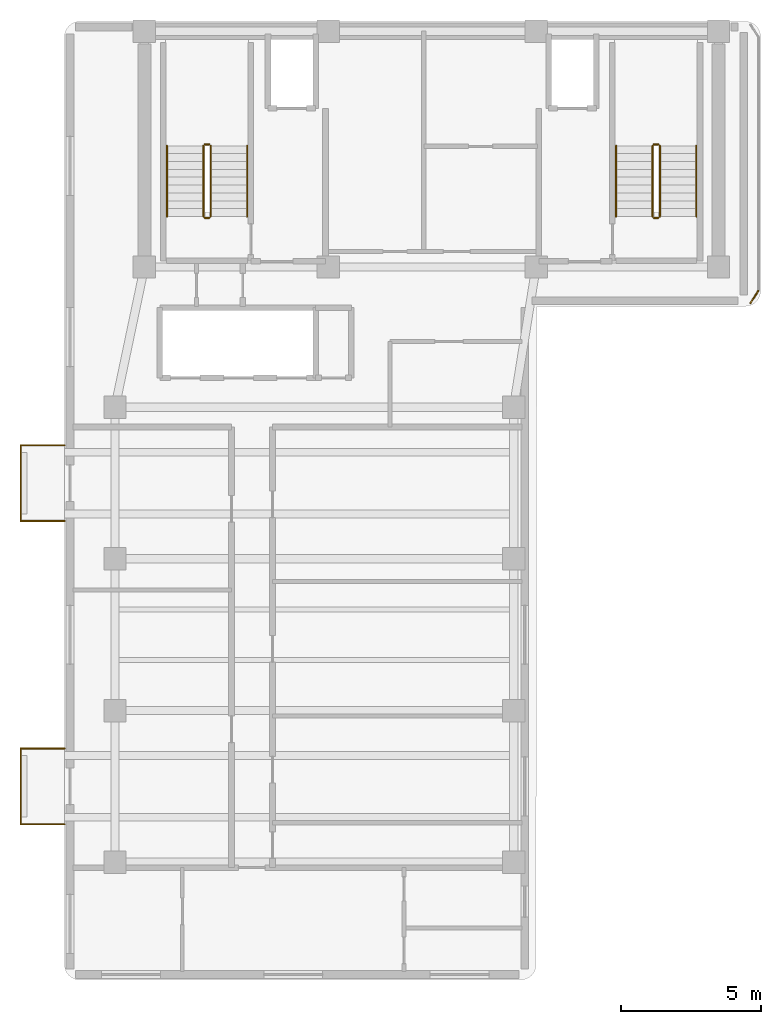
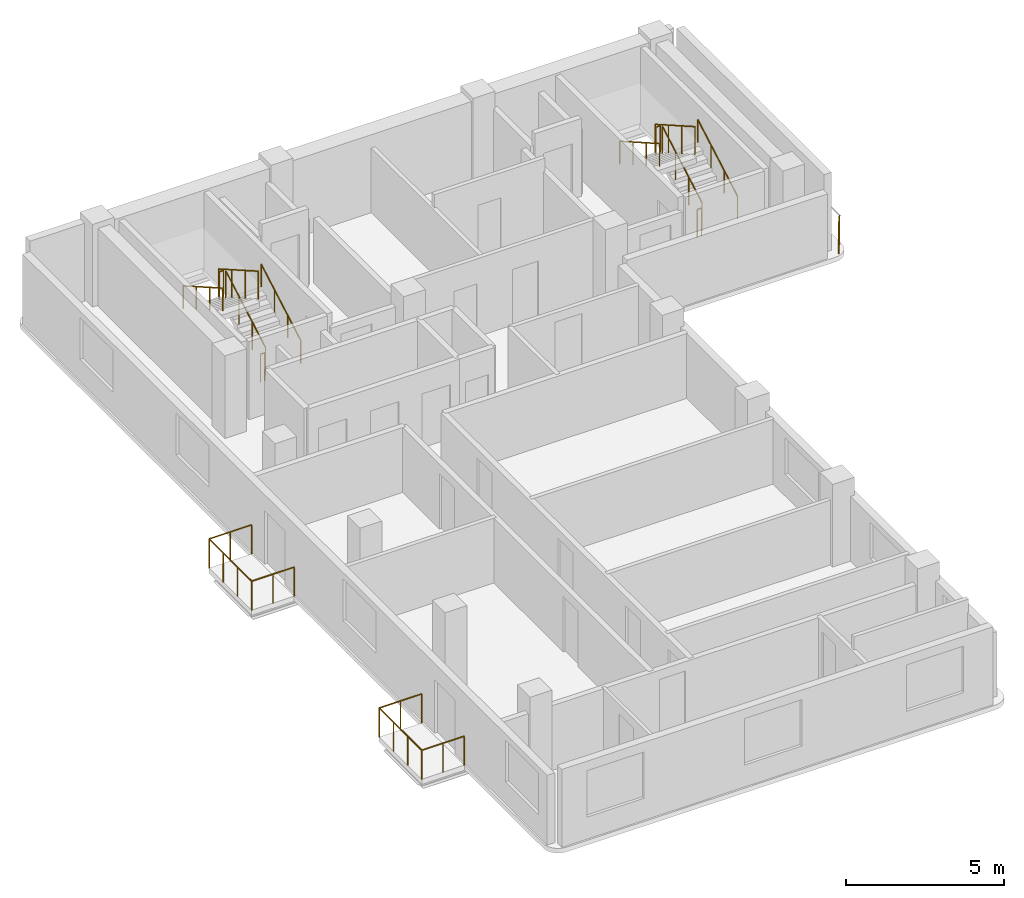
# One storey, part 5 of 6: 19 railings.
"""IFC4 building model written with IfcOpenShell, lengths in metres."""

from ifc_helpers import new_model, si_unit, direction, frame, origin, origin_2d, place, context, subcontext, project, spatial, circle, extrude, material, layer, layer_set, type_object, element, save


model = new_model("IFC4")

# Units and contexts
model_context = context("Model", 3, precision=1e-05, world=origin(), true_north=direction((0.0, 1.0)))
body_context = subcontext(model_context, "Body", "Model", "MODEL_VIEW")
ifc_project = project(units=[si_unit("LENGTHUNIT", "METRE"), si_unit("AREAUNIT", "SQUARE_METRE"), si_unit("VOLUMEUNIT", "CUBIC_METRE"), si_unit("PLANEANGLEUNIT", "RADIAN"), si_unit("MASSUNIT", "GRAM", prefix="KILO")], contexts=[model_context])

# Site, building, storey
site_placement = place(None, origin())
site = spatial("IfcSite", under=ifc_project, at=site_placement, CompositionType="ELEMENT")
building_placement = place(site_placement, origin())
building = spatial("IfcBuilding", under=site, at=building_placement, Name="Kuzgunbayir Cultural Tower", CompositionType="ELEMENT")
storey_placement = place(building_placement, frame((0.0, 0.0, 221.60009765625)))
storey = spatial("IfcBuildingStorey", under=building, at=storey_placement, Name="L65", CompositionType="ELEMENT", Elevation=221.60009765625)

# Railings
ifc_material_1 = material(Name="Laminated Glass and Stainless Steel", Category="steel")
ifc_layer_1 = layer(ifc_material_1, 0.080078125)
ifc_layer_set_1 = layer_set([ifc_layer_1], Name="Laminated Glass and Stainless Steel")
railing_type_1 = type_object("IfcRailingType", Name="RLG-BAL-115", PredefinedType="BALUSTRADE", material=ifc_layer_set_1)
railing_1_placement = place(storey_placement, frame((3.60009765625, 13.949951171875, 0.0)))
element("IfcRailing", 1, at=railing_1_placement, inside=storey, type_object=railing_type_1, Name="L65 Balcony Guard BAL-L65-WA1 Segment 1", PredefinedType="BALUSTRADE", context=body_context, shape_type="SweptSolid", body=[
    extrude(circle(Radius=0.02392578125, at=origin_2d()), frame((0.0, 0.0, 1.1259765625), z_axis=(-1.0, 0.0, 0.0), x_axis=(0.0, -1.0, 0.0)), (0.0, 0.0, 1.0), 1.56005859375),
    extrude(circle(Radius=0.02099609375, at=origin_2d()), origin(), (0.0, 0.0, 1.0), 1.101806640625),
    extrude(circle(Radius=0.02099609375, at=origin_2d()), frame((-0.780029296875, 0.0, 0.0)), (0.0, 0.0, 1.0), 1.101806640625),
    extrude(circle(Radius=0.02099609375, at=origin_2d()), frame((-1.56005859375, 0.0, 0.0)), (0.0, 0.0, 1.0), 1.101806640625),
])
railing_2_placement = place(storey_placement, frame((2.0400390625, 13.949951171875, 0.0)))
element("IfcRailing", 2, at=railing_2_placement, inside=storey, type_object=railing_type_1, Name="L65 Balcony Guard BAL-L65-WA1 Segment 2", PredefinedType="BALUSTRADE", context=body_context, shape_type="SweptSolid", body=[
    extrude(circle(Radius=0.02392578125, at=origin_2d()), frame((0.0, 0.0, 1.1259765625), z_axis=(0.0, 1.0, 0.0), x_axis=(-1.0, 0.0, 0.0)), (0.0, 0.0, 1.0), 2.699951171875),
    extrude(circle(Radius=0.02099609375, at=origin_2d()), origin(), (0.0, 0.0, 1.0), 1.101806640625),
    extrude(circle(Radius=0.02099609375, at=origin_2d()), frame((0.0, 0.89990234375, 0.0)), (0.0, 0.0, 1.0), 1.101806640625),
    extrude(circle(Radius=0.02099609375, at=origin_2d()), frame((0.0, 1.800048828125, 0.0)), (0.0, 0.0, 1.0), 1.101806640625),
    extrude(circle(Radius=0.02099609375, at=origin_2d()), frame((0.0, 2.699951171875, 0.0)), (0.0, 0.0, 1.0), 1.101806640625),
])
railing_3_placement = place(storey_placement, frame((2.0400390625, 16.64990234375, 0.0)))
element("IfcRailing", 3, at=railing_3_placement, inside=storey, type_object=railing_type_1, Name="L65 Balcony Guard BAL-L65-WA1 Segment 3", PredefinedType="BALUSTRADE", context=body_context, shape_type="SweptSolid", body=[
    extrude(circle(Radius=0.02392578125, at=origin_2d()), frame((0.0, 0.0, 1.1259765625), z_axis=(1.0, 0.0, 0.0), x_axis=(0.0, 1.0, 0.0)), (0.0, 0.0, 1.0), 1.56005859375),
    extrude(circle(Radius=0.02099609375, at=origin_2d()), origin(), (0.0, 0.0, 1.0), 1.101806640625),
    extrude(circle(Radius=0.02099609375, at=origin_2d()), frame((0.780029296875, 0.0, 0.0)), (0.0, 0.0, 1.0), 1.101806640625),
    extrude(circle(Radius=0.02099609375, at=origin_2d()), frame((1.56005859375, 0.0, 0.0)), (0.0, 0.0, 1.0), 1.101806640625),
])
railing_4_placement = place(storey_placement, frame((3.60009765625, 24.75, 0.0)))
element("IfcRailing", 4, at=railing_4_placement, inside=storey, type_object=railing_type_1, Name="L65 Balcony Guard BAL-L65-WA3 Segment 1", PredefinedType="BALUSTRADE", context=body_context, shape_type="SweptSolid", body=[
    extrude(circle(Radius=0.02392578125, at=origin_2d()), frame((0.0, 0.0, 1.1259765625), z_axis=(-1.0, 0.0, 0.0), x_axis=(0.0, -1.0, 0.0)), (0.0, 0.0, 1.0), 1.56005859375),
    extrude(circle(Radius=0.02099609375, at=origin_2d()), origin(), (0.0, 0.0, 1.0), 1.101806640625),
    extrude(circle(Radius=0.02099609375, at=origin_2d()), frame((-0.780029296875, 0.0, 0.0)), (0.0, 0.0, 1.0), 1.101806640625),
    extrude(circle(Radius=0.02099609375, at=origin_2d()), frame((-1.56005859375, 0.0, 0.0)), (0.0, 0.0, 1.0), 1.101806640625),
])
railing_5_placement = place(storey_placement, frame((2.0400390625, 24.75, 0.0)))
element("IfcRailing", 5, at=railing_5_placement, inside=storey, type_object=railing_type_1, Name="L65 Balcony Guard BAL-L65-WA3 Segment 2", PredefinedType="BALUSTRADE", context=body_context, shape_type="SweptSolid", body=[
    extrude(circle(Radius=0.02392578125, at=origin_2d()), frame((0.0, 0.0, 1.1259765625), z_axis=(0.0, 1.0, 0.0), x_axis=(-1.0, 0.0, 0.0)), (0.0, 0.0, 1.0), 2.699951171875),
    extrude(circle(Radius=0.02099609375, at=origin_2d()), origin(), (0.0, 0.0, 1.0), 1.101806640625),
    extrude(circle(Radius=0.02099609375, at=origin_2d()), frame((0.0, 0.89990234375, 0.0)), (0.0, 0.0, 1.0), 1.101806640625),
    extrude(circle(Radius=0.02099609375, at=origin_2d()), frame((0.0, 1.800048828125, 0.0)), (0.0, 0.0, 1.0), 1.101806640625),
    extrude(circle(Radius=0.02099609375, at=origin_2d()), frame((0.0, 2.699951171875, 0.0)), (0.0, 0.0, 1.0), 1.101806640625),
])
railing_6_placement = place(storey_placement, frame((2.0400390625, 27.449951171875, 0.0)))
element("IfcRailing", 6, at=railing_6_placement, inside=storey, type_object=railing_type_1, Name="L65 Balcony Guard BAL-L65-WA3 Segment 3", PredefinedType="BALUSTRADE", context=body_context, shape_type="SweptSolid", body=[
    extrude(circle(Radius=0.02392578125, at=origin_2d()), frame((0.0, 0.0, 1.1259765625), z_axis=(1.0, 0.0, 0.0), x_axis=(0.0, 1.0, 0.0)), (0.0, 0.0, 1.0), 1.56005859375),
    extrude(circle(Radius=0.02099609375, at=origin_2d()), origin(), (0.0, 0.0, 1.0), 1.101806640625),
    extrude(circle(Radius=0.02099609375, at=origin_2d()), frame((0.780029296875, 0.0, 0.0)), (0.0, 0.0, 1.0), 1.101806640625),
    extrude(circle(Radius=0.02099609375, at=origin_2d()), frame((1.56005859375, 0.0, 0.0)), (0.0, 0.0, 1.0), 1.101806640625),
])
railing_7_placement = place(storey_placement, frame((28.320068359375, 32.949951171875, 0.0)))
element("IfcRailing", 7, at=railing_7_placement, inside=storey, type_object=railing_type_1, Name="L65 Perimeter Edge Guard 3", PredefinedType="BALUSTRADE", context=body_context, shape_type="SweptSolid", body=[
    extrude(circle(Radius=0.02392578125, at=origin_2d()), frame((0.0, 0.0, 1.1259765625), z_axis=(-0.545774188207, -0.837932297675, 0.0), x_axis=(0.837932297675, -0.545774188207, 0.0)), (0.0, 0.0, 1.0), 0.51318359375),
    extrude(circle(Radius=0.02099609375, at=origin_2d()), origin(), (0.0, 0.0, 1.0), 1.101806640625),
    extrude(circle(Radius=0.02099609375, at=origin_2d()), frame((-0.280029296875, -0.429931640625, 0.0)), (0.0, 0.0, 1.0), 1.101806640625),
])
ifc_material_2 = material(Name="Brushed Stainless Steel", Category="steel")
ifc_layer_2 = layer(ifc_material_2, 0.050048828125)
ifc_layer_set_2 = layer_set([ifc_layer_2], Name="Brushed Stainless Steel")
railing_type_2 = type_object("IfcRailingType", Name="RLG-STAIR-HANDRAIL", PredefinedType="HANDRAIL", material=ifc_layer_set_2)
railing_8_placement = place(storey_placement, frame((10.110107421875, 35.60009765625, 0.159912109375)))
element("IfcRailing", 8, at=railing_8_placement, inside=storey, type_object=railing_type_2, Name="L65 ST-1 stair handrail 1", PredefinedType="HANDRAIL", context=body_context, shape_type="SweptSolid", body=[
    extrude(circle(Radius=0.02392578125, at=origin_2d()), frame((0.0, 0.0, 0.8759765625), z_axis=(0.0, 0.868253494771, 0.496120820787), x_axis=(-1.0, 0.0, 0.0)), (0.0, 0.0, 1.0), 2.90234375),
    extrude(circle(Radius=0.02099609375, at=origin_2d()), origin(), (0.0, 0.0, 1.0), 0.851806640625),
    extrude(circle(Radius=0.02099609375, at=origin_2d()), frame((0.0, 0.840087890625, 0.47998046875)), (0.0, 0.0, 1.0), 0.851806640625),
    extrude(circle(Radius=0.02099609375, at=origin_2d()), frame((0.0, 1.679931640625, 0.9599609375)), (0.0, 0.0, 1.0), 0.851806640625),
    extrude(circle(Radius=0.02099609375, at=origin_2d()), frame((0.0, 2.52001953125, 1.43994140625)), (0.0, 0.0, 1.0), 0.851806640625),
])
railing_9_placement = place(storey_placement, frame((7.25, 38.1201171875, 1.760009765625)))
element("IfcRailing", 9, at=railing_9_placement, inside=storey, type_object=railing_type_2, Name="L65 ST-1 stair handrail 2", PredefinedType="HANDRAIL", context=body_context, shape_type="SweptSolid", body=[
    extrude(circle(Radius=0.02392578125, at=origin_2d()), frame((0.0, 0.0, 0.8759765625), z_axis=(0.0, -0.868253494771, 0.496120820787), x_axis=(1.0, 0.0, 0.0)), (0.0, 0.0, 1.0), 2.90234375),
    extrude(circle(Radius=0.02099609375, at=origin_2d()), origin(), (0.0, 0.0, 1.0), 0.851806640625),
    extrude(circle(Radius=0.02099609375, at=origin_2d()), frame((0.0, -0.840087890625, 0.47998046875)), (0.0, 0.0, 1.0), 0.851806640625),
    extrude(circle(Radius=0.02099609375, at=origin_2d()), frame((0.0, -1.679931640625, 0.9599609375)), (0.0, 0.0, 1.0), 0.851806640625),
    extrude(circle(Radius=0.02099609375, at=origin_2d()), frame((0.0, -2.52001953125, 1.43994140625)), (0.0, 0.0, 1.0), 0.851806640625),
])
railing_10_placement = place(storey_placement, frame((26.110107421875, 35.60009765625, 0.159912109375)))
element("IfcRailing", 10, at=railing_10_placement, inside=storey, type_object=railing_type_2, Name="L65 ST-2 stair handrail 1", PredefinedType="HANDRAIL", context=body_context, shape_type="SweptSolid", body=[
    extrude(circle(Radius=0.02392578125, at=origin_2d()), frame((0.0, 0.0, 0.8759765625), z_axis=(0.0, 0.868253494771, 0.496120820787), x_axis=(-1.0, 0.0, 0.0)), (0.0, 0.0, 1.0), 2.90234375),
    extrude(circle(Radius=0.02099609375, at=origin_2d()), origin(), (0.0, 0.0, 1.0), 0.851806640625),
    extrude(circle(Radius=0.02099609375, at=origin_2d()), frame((0.0, 0.840087890625, 0.47998046875)), (0.0, 0.0, 1.0), 0.851806640625),
    extrude(circle(Radius=0.02099609375, at=origin_2d()), frame((0.0, 1.679931640625, 0.9599609375)), (0.0, 0.0, 1.0), 0.851806640625),
    extrude(circle(Radius=0.02099609375, at=origin_2d()), frame((0.0, 2.52001953125, 1.43994140625)), (0.0, 0.0, 1.0), 0.851806640625),
])
railing_11_placement = place(storey_placement, frame((23.25, 38.1201171875, 1.760009765625)))
element("IfcRailing", 11, at=railing_11_placement, inside=storey, type_object=railing_type_2, Name="L65 ST-2 stair handrail 2", PredefinedType="HANDRAIL", context=body_context, shape_type="SweptSolid", body=[
    extrude(circle(Radius=0.02392578125, at=origin_2d()), frame((0.0, 0.0, 0.8759765625), z_axis=(0.0, -0.868253494771, 0.496120820787), x_axis=(1.0, 0.0, 0.0)), (0.0, 0.0, 1.0), 2.90234375),
    extrude(circle(Radius=0.02099609375, at=origin_2d()), origin(), (0.0, 0.0, 1.0), 0.851806640625),
    extrude(circle(Radius=0.02099609375, at=origin_2d()), frame((0.0, -0.840087890625, 0.47998046875)), (0.0, 0.0, 1.0), 0.851806640625),
    extrude(circle(Radius=0.02099609375, at=origin_2d()), frame((0.0, -1.679931640625, 0.9599609375)), (0.0, 0.0, 1.0), 0.851806640625),
    extrude(circle(Radius=0.02099609375, at=origin_2d()), frame((0.0, -2.52001953125, 1.43994140625)), (0.0, 0.0, 1.0), 0.851806640625),
])
ifc_material_3 = material(Name="Painted Steel Balustrade", Category="steel")
ifc_layer_3 = layer(ifc_material_3, 0.06005859375)
ifc_layer_set_3 = layer_set([ifc_layer_3], Name="Painted Steel Balustrade")
railing_type_3 = type_object("IfcRailingType", Name="RLG-WELL-GUARD", PredefinedType="GUARDRAIL", material=ifc_layer_set_3)
railing_12_placement = place(storey_placement, frame((8.81005859375, 35.60009765625, 0.159912109375)))
element("IfcRailing", 12, at=railing_12_placement, inside=storey, type_object=railing_type_3, Name="L65 ST-1 stair guard 1", PredefinedType="GUARDRAIL", context=body_context, shape_type="SweptSolid", body=[
    extrude(circle(Radius=0.02392578125, at=origin_2d()), frame((0.0, 0.0, 1.076171875), z_axis=(0.0, 0.868253494771, 0.496120820787), x_axis=(-1.0, 0.0, 0.0)), (0.0, 0.0, 1.0), 2.90234375),
    extrude(circle(Radius=0.02099609375, at=origin_2d()), origin(), (0.0, 0.0, 1.0), 1.052001953125),
    extrude(circle(Radius=0.02099609375, at=origin_2d()), frame((0.0, 0.840087890625, 0.47998046875)), (0.0, 0.0, 1.0), 1.052001953125),
    extrude(circle(Radius=0.02099609375, at=origin_2d()), frame((0.0, 1.679931640625, 0.9599609375)), (0.0, 0.0, 1.0), 1.052001953125),
    extrude(circle(Radius=0.02099609375, at=origin_2d()), frame((0.0, 2.52001953125, 1.43994140625)), (0.0, 0.0, 1.0), 1.052001953125),
])
railing_13_placement = place(storey_placement, frame((8.760009765625, 38.169921875, 1.599853515625)))
element("IfcRailing", 13, at=railing_13_placement, inside=storey, type_object=railing_type_3, Name="L65 ST-1 stair guard 2", PredefinedType="GUARDRAIL", context=body_context, shape_type="SweptSolid", body=[
    extrude(circle(Radius=0.02392578125, at=origin_2d()), frame((0.0, 0.0, 1.076171875), z_axis=(-1.0, 0.0, 0.0), x_axis=(0.0, -1.0, 0.0)), (0.0, 0.0, 1.0), 0.159912109375),
    extrude(circle(Radius=0.02099609375, at=origin_2d()), origin(), (0.0, 0.0, 1.0), 1.052001953125),
    extrude(circle(Radius=0.02099609375, at=origin_2d()), frame((-0.159912109375, 0.0, 0.0)), (0.0, 0.0, 1.0), 1.052001953125),
])
railing_14_placement = place(storey_placement, frame((8.550048828125, 38.1201171875, 1.760009765625)))
element("IfcRailing", 14, at=railing_14_placement, inside=storey, type_object=railing_type_3, Name="L65 ST-1 stair guard 3", PredefinedType="GUARDRAIL", context=body_context, shape_type="SweptSolid", body=[
    extrude(circle(Radius=0.02392578125, at=origin_2d()), frame((0.0, 0.0, 1.076171875), z_axis=(0.0, -0.868253494771, 0.496120820787), x_axis=(1.0, 0.0, 0.0)), (0.0, 0.0, 1.0), 2.90234375),
    extrude(circle(Radius=0.02099609375, at=origin_2d()), origin(), (0.0, 0.0, 1.0), 1.052001953125),
    extrude(circle(Radius=0.02099609375, at=origin_2d()), frame((0.0, -0.840087890625, 0.47998046875)), (0.0, 0.0, 1.0), 1.052001953125),
    extrude(circle(Radius=0.02099609375, at=origin_2d()), frame((0.0, -1.679931640625, 0.9599609375)), (0.0, 0.0, 1.0), 1.052001953125),
    extrude(circle(Radius=0.02099609375, at=origin_2d()), frame((0.0, -2.52001953125, 1.43994140625)), (0.0, 0.0, 1.0), 1.052001953125),
])
railing_15_placement = place(storey_placement, frame((8.760009765625, 35.550048828125, 0.0)))
element("IfcRailing", 15, at=railing_15_placement, inside=storey, type_object=railing_type_3, Name="L65 ST-1 stair guard 4", PredefinedType="GUARDRAIL", context=body_context, shape_type="SweptSolid", body=[
    extrude(circle(Radius=0.02392578125, at=origin_2d()), frame((0.0, 0.0, 1.076171875), z_axis=(-1.0, 0.0, 0.0), x_axis=(0.0, -1.0, 0.0)), (0.0, 0.0, 1.0), 0.159912109375),
    extrude(circle(Radius=0.02099609375, at=origin_2d()), origin(), (0.0, 0.0, 1.0), 1.052001953125),
    extrude(circle(Radius=0.02099609375, at=origin_2d()), frame((-0.159912109375, 0.0, 0.0)), (0.0, 0.0, 1.0), 1.052001953125),
])
railing_16_placement = place(storey_placement, frame((24.81005859375, 35.60009765625, 0.159912109375)))
element("IfcRailing", 16, at=railing_16_placement, inside=storey, type_object=railing_type_3, Name="L65 ST-2 stair guard 1", PredefinedType="GUARDRAIL", context=body_context, shape_type="SweptSolid", body=[
    extrude(circle(Radius=0.02392578125, at=origin_2d()), frame((0.0, 0.0, 1.076171875), z_axis=(0.0, 0.868253494771, 0.496120820787), x_axis=(-1.0, 0.0, 0.0)), (0.0, 0.0, 1.0), 2.90234375),
    extrude(circle(Radius=0.02099609375, at=origin_2d()), origin(), (0.0, 0.0, 1.0), 1.052001953125),
    extrude(circle(Radius=0.02099609375, at=origin_2d()), frame((0.0, 0.840087890625, 0.47998046875)), (0.0, 0.0, 1.0), 1.052001953125),
    extrude(circle(Radius=0.02099609375, at=origin_2d()), frame((0.0, 1.679931640625, 0.9599609375)), (0.0, 0.0, 1.0), 1.052001953125),
    extrude(circle(Radius=0.02099609375, at=origin_2d()), frame((0.0, 2.52001953125, 1.43994140625)), (0.0, 0.0, 1.0), 1.052001953125),
])
railing_17_placement = place(storey_placement, frame((24.760009765625, 38.169921875, 1.599853515625)))
element("IfcRailing", 17, at=railing_17_placement, inside=storey, type_object=railing_type_3, Name="L65 ST-2 stair guard 2", PredefinedType="GUARDRAIL", context=body_context, shape_type="SweptSolid", body=[
    extrude(circle(Radius=0.02392578125, at=origin_2d()), frame((0.0, 0.0, 1.076171875), z_axis=(-1.0, 0.0, 0.0), x_axis=(0.0, -1.0, 0.0)), (0.0, 0.0, 1.0), 0.159912109375),
    extrude(circle(Radius=0.02099609375, at=origin_2d()), origin(), (0.0, 0.0, 1.0), 1.052001953125),
    extrude(circle(Radius=0.02099609375, at=origin_2d()), frame((-0.159912109375, 0.0, 0.0)), (0.0, 0.0, 1.0), 1.052001953125),
])
railing_18_placement = place(storey_placement, frame((24.550048828125, 38.1201171875, 1.760009765625)))
element("IfcRailing", 18, at=railing_18_placement, inside=storey, type_object=railing_type_3, Name="L65 ST-2 stair guard 3", PredefinedType="GUARDRAIL", context=body_context, shape_type="SweptSolid", body=[
    extrude(circle(Radius=0.02392578125, at=origin_2d()), frame((0.0, 0.0, 1.076171875), z_axis=(0.0, -0.868253494771, 0.496120820787), x_axis=(1.0, 0.0, 0.0)), (0.0, 0.0, 1.0), 2.90234375),
    extrude(circle(Radius=0.02099609375, at=origin_2d()), origin(), (0.0, 0.0, 1.0), 1.052001953125),
    extrude(circle(Radius=0.02099609375, at=origin_2d()), frame((0.0, -0.840087890625, 0.47998046875)), (0.0, 0.0, 1.0), 1.052001953125),
    extrude(circle(Radius=0.02099609375, at=origin_2d()), frame((0.0, -1.679931640625, 0.9599609375)), (0.0, 0.0, 1.0), 1.052001953125),
    extrude(circle(Radius=0.02099609375, at=origin_2d()), frame((0.0, -2.52001953125, 1.43994140625)), (0.0, 0.0, 1.0), 1.052001953125),
])
railing_19_placement = place(storey_placement, frame((24.760009765625, 35.550048828125, 0.0)))
element("IfcRailing", 19, at=railing_19_placement, inside=storey, type_object=railing_type_3, Name="L65 ST-2 stair guard 4", PredefinedType="GUARDRAIL", context=body_context, shape_type="SweptSolid", body=[
    extrude(circle(Radius=0.02392578125, at=origin_2d()), frame((0.0, 0.0, 1.076171875), z_axis=(-1.0, 0.0, 0.0), x_axis=(0.0, -1.0, 0.0)), (0.0, 0.0, 1.0), 0.159912109375),
    extrude(circle(Radius=0.02099609375, at=origin_2d()), origin(), (0.0, 0.0, 1.0), 1.052001953125),
    extrude(circle(Radius=0.02099609375, at=origin_2d()), frame((-0.159912109375, 0.0, 0.0)), (0.0, 0.0, 1.0), 1.052001953125),
])

save(model, "model.ifc")
